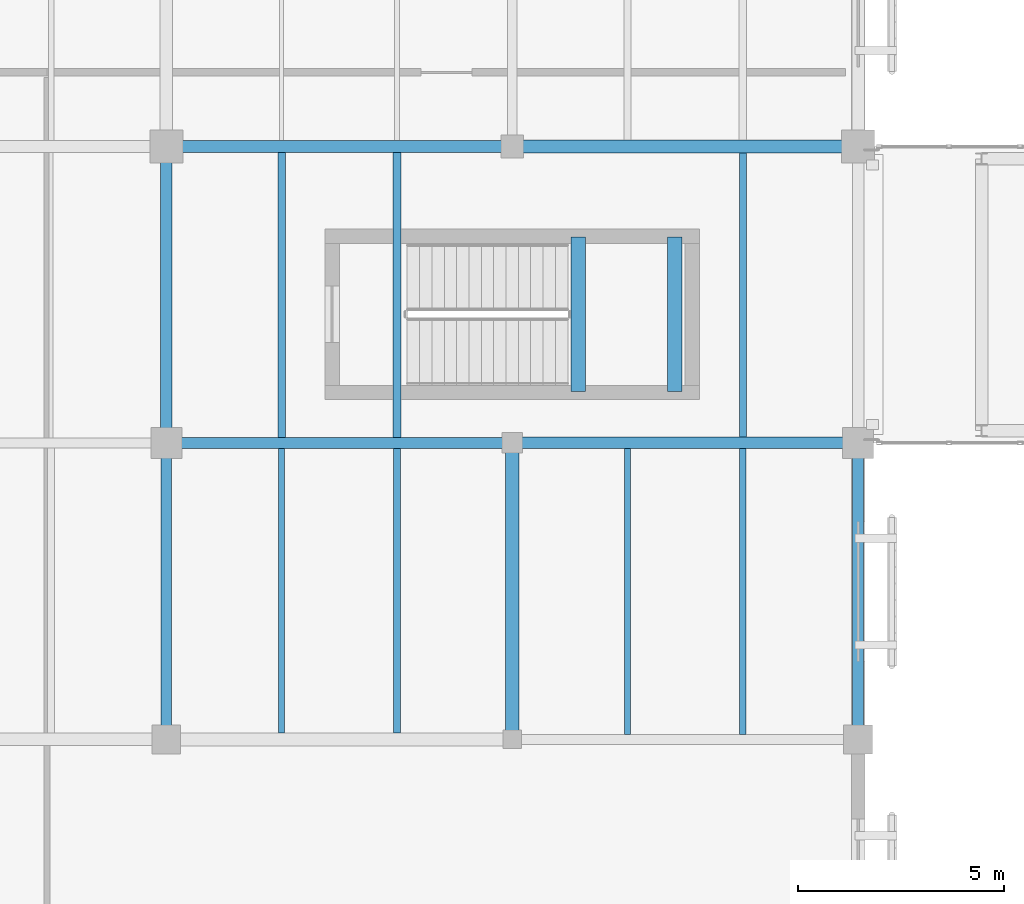
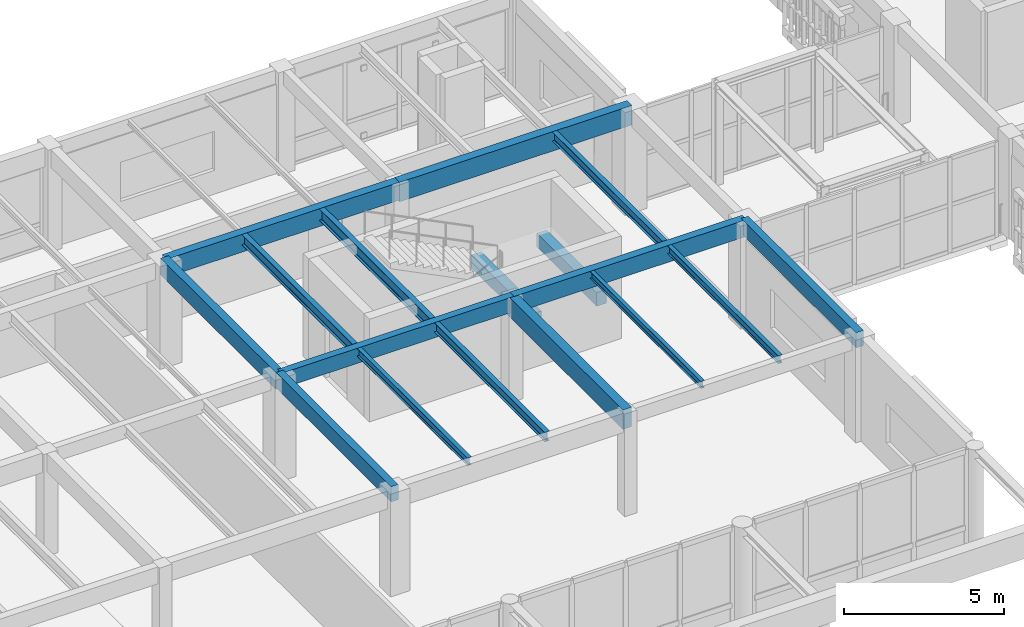
# One storey, part 48 of 170: 17 beams.
"""IFC4 building model written with IfcOpenShell, lengths in metres."""

from ifc_helpers import new_model, si_unit, direction, frame, origin, origin_2d, place, context, subcontext, project, spatial, rectangle, i_section, extrude, material, material_profile, profile_set, type_object, element, save


model = new_model("IFC4")

# Units and contexts
model_context = context("Model", 3, precision=1e-05, world=origin(), true_north=direction((0.0, 1.0)))
body_context = subcontext(model_context, "Body", "Model", "MODEL_VIEW")
ifc_project = project(units=[si_unit("LENGTHUNIT", "METRE"), si_unit("AREAUNIT", "SQUARE_METRE"), si_unit("VOLUMEUNIT", "CUBIC_METRE"), si_unit("PLANEANGLEUNIT", "RADIAN"), si_unit("MASSUNIT", "GRAM", prefix="KILO")], contexts=[model_context])

# Site, building, storey
site_placement = place(None, origin())
site = spatial("IfcSite", under=ifc_project, at=site_placement, CompositionType="ELEMENT")
building_placement = place(site_placement, origin())
building = spatial("IfcBuilding", under=site, at=building_placement, Name="Mazaris Harbour Polytechnic", CompositionType="ELEMENT")
storey_placement = place(building_placement, frame((0.0, 0.0, 5.39990234375)))
storey = spatial("IfcBuildingStorey", under=building, at=storey_placement, Name="L01", CompositionType="ELEMENT", Elevation=5.39990234375)

# Beams
ifc_material_1 = material(Name="Glulam GL32h", Category="wood")
ifc_material_profile_1 = material_profile(ifc_material_1, rectangle(XDim=0.260009765625, YDim=0.580078125, at=origin_2d()), Name="RECT260x580")
ifc_profile_set_1 = profile_set([ifc_material_profile_1], Name="Glulam GL32h")
beam_type_1 = type_object("IfcBeamType", Name="Glulam Girder 260x580", PredefinedType="BEAM", material=ifc_profile_set_1)
beam_1_placement = place(storey_placement, frame((96.0, 21.60009765625, 3.630126953125), z_axis=(1.0, 0.0, 0.0), x_axis=(0.0, 1.0, 0.0)))
element("IfcBeam", 1, at=beam_1_placement, inside=storey, type_object=beam_type_1, Name="V3 L01 Girder 981", PredefinedType="BEAM", context=body_context, shape_type="SweptSolid", body=[
    extrude(rectangle(XDim=0.260009765625, YDim=0.580078125, at=origin_2d()), origin(), (0.0, 0.0, 1.0), 8.39990234375),
])
beam_2_placement = place(storey_placement, frame((96.0, 14.39990234375, 3.630126953125), z_axis=(0.0, 1.0, 0.0), x_axis=(-1.0, 0.0, 0.0)))
element("IfcBeam", 2, at=beam_2_placement, inside=storey, type_object=beam_type_1, Name="V3 L01 Tie Girder 1011", PredefinedType="BEAM", context=body_context, shape_type="SweptSolid", body=[
    extrude(rectangle(XDim=0.260009765625, YDim=0.580078125, at=origin_2d()), origin(), (0.0, 0.0, 1.0), 7.2001953125),
])
ifc_material_2 = material(Name="Glulam GL32h", Category="wood")
ifc_material_profile_2 = material_profile(ifc_material_2, rectangle(XDim=0.260009765625, YDim=0.580078125, at=origin_2d()), Name="RECT260x580")
ifc_profile_set_2 = profile_set([ifc_material_profile_2], Name="Glulam GL32h")
beam_type_2 = type_object("IfcBeamType", Name="Glulam Girder 260x580 Exterior", PredefinedType="BEAM", material=ifc_profile_set_2)
beam_3_placement = place(storey_placement, frame((112.800048828125, 14.39990234375, 3.630126953125), z_axis=(0.0, 1.0, 0.0), x_axis=(-1.0, 0.0, 0.0)))
element("IfcBeam", 3, at=beam_3_placement, inside=storey, type_object=beam_type_2, Name="V3 L01 Tie Girder 1016", PredefinedType="BEAM", context=body_context, shape_type="SweptSolid", body=[
    extrude(rectangle(XDim=0.260009765625, YDim=0.580078125, at=origin_2d()), origin(), (0.0, 0.0, 1.0), 7.2001953125),
])
ifc_material_3 = material(Name="Glulam GL32h", Category="wood")
ifc_material_profile_3 = material_profile(ifc_material_3, rectangle(XDim=0.280029296875, YDim=0.639892578125, at=origin_2d()), Name="RECT280x640")
ifc_profile_set_3 = profile_set([ifc_material_profile_3], Name="Glulam GL32h")
beam_type_3 = type_object("IfcBeamType", Name="Glulam Girder 280x640", PredefinedType="BEAM", material=ifc_profile_set_3)
beam_4_placement = place(storey_placement, frame((104.39990234375, 21.60009765625, 3.60009765625), z_axis=(1.0, 0.0, 0.0), x_axis=(0.0, 1.0, 0.0)))
element("IfcBeam", 4, at=beam_4_placement, inside=storey, type_object=beam_type_3, Name="V3 L01 Girder 982", PredefinedType="BEAM", context=body_context, shape_type="SweptSolid", body=[
    extrude(rectangle(XDim=0.280029296875, YDim=0.639892578125, at=origin_2d()), origin(), (0.0, 0.0, 1.0), 8.400146484375),
])
beam_5_placement = place(storey_placement, frame((96.0, 21.60009765625, 3.60009765625), z_axis=(0.0, 1.0, 0.0), x_axis=(-1.0, 0.0, 0.0)))
element("IfcBeam", 5, at=beam_5_placement, inside=storey, type_object=beam_type_3, Name="V3 L01 Tie Girder 1012", PredefinedType="BEAM", context=body_context, shape_type="SweptSolid", body=[
    extrude(rectangle(XDim=0.280029296875, YDim=0.639892578125, at=origin_2d()), origin(), (0.0, 0.0, 1.0), 7.199951171875),
])
ifc_material_4 = material(Name="Glulam GL32h", Category="wood")
ifc_material_profile_4 = material_profile(ifc_material_4, rectangle(XDim=0.300048828125, YDim=0.679931640625, at=origin_2d()), Name="RECT300x680")
ifc_profile_set_4 = profile_set([ifc_material_profile_4], Name="Glulam GL32h")
beam_type_4 = type_object("IfcBeamType", Name="Glulam Girder 300x680", PredefinedType="BEAM", material=ifc_profile_set_4)
beam_6_placement = place(storey_placement, frame((96.0, 28.800048828125, 3.580078125), z_axis=(1.0, 0.0, 0.0), x_axis=(0.0, 1.0, 0.0)))
element("IfcBeam", 6, at=beam_6_placement, inside=storey, type_object=beam_type_4, Name="V3 L01 Girder 988", PredefinedType="BEAM", context=body_context, shape_type="SweptSolid", body=[
    extrude(rectangle(XDim=0.300048828125, YDim=0.679931640625, at=origin_2d()), origin(), (0.0, 0.0, 1.0), 8.39990234375),
])
ifc_material_5 = material(Name="Glulam GL32h", Category="wood")
ifc_material_profile_5 = material_profile(ifc_material_5, rectangle(XDim=0.320068359375, YDim=0.739990234375, at=origin_2d()), Name="RECT320x740")
ifc_profile_set_5 = profile_set([ifc_material_profile_5], Name="Glulam GL32h")
beam_type_5 = type_object("IfcBeamType", Name="Glulam Girder 320x740", PredefinedType="BEAM", material=ifc_profile_set_5)
beam_7_placement = place(storey_placement, frame((104.39990234375, 28.800048828125, 3.550048828125), z_axis=(1.0, 0.0, 0.0), x_axis=(0.0, 1.0, 0.0)))
element("IfcBeam", 7, at=beam_7_placement, inside=storey, type_object=beam_type_5, Name="V3 L01 Girder 989", PredefinedType="BEAM", context=body_context, shape_type="SweptSolid", body=[
    extrude(rectangle(XDim=0.320068359375, YDim=0.739990234375, at=origin_2d()), origin(), (0.0, 0.0, 1.0), 8.400146484375),
])
beam_8_placement = place(storey_placement, frame((104.39990234375, 14.39990234375, 3.550048828125), z_axis=(0.0, 1.0, 0.0), x_axis=(-1.0, 0.0, 0.0)))
element("IfcBeam", 8, at=beam_8_placement, inside=storey, type_object=beam_type_5, Name="V3 L01 Tie Girder 1014", PredefinedType="BEAM", context=body_context, shape_type="SweptSolid", body=[
    extrude(rectangle(XDim=0.320068359375, YDim=0.739990234375, at=origin_2d()), origin(), (0.0, 0.0, 1.0), 7.2001953125),
])
ifc_material_6 = material(Name="Concrete C40/50", Category="concrete")
ifc_material_profile_6 = material_profile(ifc_material_6, rectangle(XDim=0.35009765625, YDim=0.52001953125, at=origin_2d()), Name="RECT350x520")
ifc_profile_set_6 = profile_set([ifc_material_profile_6], Name="Concrete C40/50")
beam_type_6 = type_object("IfcBeamType", Name="RC Landing Bearer 350x520", PredefinedType="BEAM", material=ifc_profile_set_6)
for number, where, z_axis, x_axis, name in (
    (9, (106.0, 22.85009765625, 1.64013671875), (0.0, 1.0, 0.0), (-1.0, 0.0, 0.0), "Core ST06 L01 Landing Bearer"),
    (10, (108.35009765625, 22.85009765625, 1.64013671875), (0.0, 1.0, 0.0), (-1.0, 0.0, 0.0), "Core ST06 L01 Landing Bearer"),
):
    element("IfcBeam", number, at=place(storey_placement, frame(where, z_axis=z_axis, x_axis=x_axis)), inside=storey, type_object=beam_type_6, Name=name, PredefinedType="BEAM", context=body_context, shape_type="SweptSolid", body=[
        extrude(rectangle(XDim=0.35009765625, YDim=0.52001953125, at=origin_2d()), origin(), (0.0, 0.0, 1.0), 3.75),
    ])
ifc_material_7 = material(Name="Steel S355", Category="steel")
ifc_material_profile_7 = material_profile(ifc_material_7, i_section(OverallWidth=0.135009765625, OverallDepth=0.27001953125, WebThickness=0.006591796875, FlangeThickness=0.01025390625, FilletRadius=0.014892578125, at=origin_2d()), Name="IPE 270")
ifc_profile_set_7 = profile_set([ifc_material_profile_7], Name="Steel S355")
beam_type_7 = type_object("IfcBeamType", Name="Steel Joist IPE270", PredefinedType="JOIST", material=ifc_profile_set_7)
beam_9_placement = place(storey_placement, frame((107.199951171875, 14.52001953125, 3.78515625), z_axis=(0.0, 1.0, 0.0), x_axis=(-1.0, 0.0, 0.0)))
element("IfcBeam", 11, at=beam_9_placement, inside=storey, type_object=beam_type_7, Name="V3 L01 Floor Joist 1052", PredefinedType="JOIST", context=body_context, shape_type="SweptSolid", body=[
    extrude(i_section(OverallWidth=0.135009765625, OverallDepth=0.27001953125, WebThickness=0.006591796875, FlangeThickness=0.01025390625, FilletRadius=0.014892578125, at=origin_2d()), origin(), (0.0, 0.0, 1.0), 6.93994140625),
])
ifc_material_8 = material(Name="Steel S355", Category="steel")
ifc_material_profile_8 = material_profile(ifc_material_8, i_section(OverallWidth=0.14990234375, OverallDepth=0.300048828125, WebThickness=0.007080078125, FlangeThickness=0.0107421875, FilletRadius=0.014892578125, at=origin_2d()), Name="IPE 300")
ifc_profile_set_8 = profile_set([ifc_material_profile_8], Name="Steel S355")
beam_type_8 = type_object("IfcBeamType", Name="Steel Joist IPE300", PredefinedType="JOIST", material=ifc_profile_set_8)
beam_10_placement = place(storey_placement, frame((98.800048828125, 14.56005859375, 3.77001953125), z_axis=(0.0, 1.0, 0.0), x_axis=(-1.0, 0.0, 0.0)))
element("IfcBeam", 12, at=beam_10_placement, inside=storey, type_object=beam_type_8, Name="V3 L01 Floor Joist 1046", PredefinedType="JOIST", context=body_context, shape_type="SweptSolid", body=[
    extrude(i_section(OverallWidth=0.14990234375, OverallDepth=0.300048828125, WebThickness=0.007080078125, FlangeThickness=0.0107421875, FilletRadius=0.014892578125, at=origin_2d()), origin(), (0.0, 0.0, 1.0), 6.909912109375),
])
beam_11_placement = place(storey_placement, frame((110.0, 14.52001953125, 3.77001953125), z_axis=(0.0, 1.0, 0.0), x_axis=(-1.0, 0.0, 0.0)))
element("IfcBeam", 13, at=beam_11_placement, inside=storey, type_object=beam_type_8, Name="V3 L01 Floor Joist 1053", PredefinedType="JOIST", context=body_context, shape_type="SweptSolid", body=[
    extrude(i_section(OverallWidth=0.14990234375, OverallDepth=0.300048828125, WebThickness=0.007080078125, FlangeThickness=0.0107421875, FilletRadius=0.014892578125, at=origin_2d()), origin(), (0.0, 0.0, 1.0), 6.93994140625),
])
ifc_material_9 = material(Name="Steel S355", Category="steel")
ifc_material_profile_9 = material_profile(ifc_material_9, i_section(OverallWidth=0.169921875, OverallDepth=0.360107421875, WebThickness=0.008056640625, FlangeThickness=0.0126953125, FilletRadius=0.01806640625, at=origin_2d()), Name="IPE 360")
ifc_profile_set_9 = profile_set([ifc_material_profile_9], Name="Steel S355")
beam_type_9 = type_object("IfcBeamType", Name="Steel Joist IPE360", PredefinedType="JOIST", material=ifc_profile_set_9)
beam_12_placement = place(storey_placement, frame((101.60009765625, 14.56005859375, 3.739990234375), z_axis=(0.0, 1.0, 0.0), x_axis=(-1.0, 0.0, 0.0)))
element("IfcBeam", 14, at=beam_12_placement, inside=storey, type_object=beam_type_9, Name="V3 L01 Floor Joist 1047", PredefinedType="JOIST", context=body_context, shape_type="SweptSolid", body=[
    extrude(i_section(OverallWidth=0.169921875, OverallDepth=0.360107421875, WebThickness=0.008056640625, FlangeThickness=0.0126953125, FilletRadius=0.01806640625, at=origin_2d()), origin(), (0.0, 0.0, 1.0), 6.909912109375),
])
beam_13_placement = place(storey_placement, frame((110.0, 21.739990234375, 3.739990234375), z_axis=(0.0, 1.0, 0.0), x_axis=(-1.0, 0.0, 0.0)))
element("IfcBeam", 15, at=beam_13_placement, inside=storey, type_object=beam_type_9, Name="V3 L01 Floor Joist 1054", PredefinedType="JOIST", context=body_context, shape_type="SweptSolid", body=[
    extrude(i_section(OverallWidth=0.169921875, OverallDepth=0.360107421875, WebThickness=0.008056640625, FlangeThickness=0.0126953125, FilletRadius=0.01806640625, at=origin_2d()), origin(), (0.0, 0.0, 1.0), 6.89990234375),
])
ifc_material_10 = material(Name="Steel S355", Category="steel")
ifc_material_profile_10 = material_profile(ifc_material_10, i_section(OverallWidth=0.179931640625, OverallDepth=0.39990234375, WebThickness=0.008544921875, FlangeThickness=0.013427734375, FilletRadius=0.02099609375, at=origin_2d()), Name="IPE 400")
ifc_profile_set_10 = profile_set([ifc_material_profile_10], Name="Steel S355")
beam_type_10 = type_object("IfcBeamType", Name="Steel Joist IPE400", PredefinedType="JOIST", material=ifc_profile_set_10)
beam_14_placement = place(storey_placement, frame((98.800048828125, 21.72998046875, 3.72021484375), z_axis=(0.0, 1.0, 0.0), x_axis=(-1.0, 0.0, 0.0)))
element("IfcBeam", 16, at=beam_14_placement, inside=storey, type_object=beam_type_10, Name="V3 L01 Floor Joist 1048", PredefinedType="JOIST", context=body_context, shape_type="SweptSolid", body=[
    extrude(i_section(OverallWidth=0.179931640625, OverallDepth=0.39990234375, WebThickness=0.008544921875, FlangeThickness=0.013427734375, FilletRadius=0.02099609375, at=origin_2d()), origin(), (0.0, 0.0, 1.0), 6.919921875),
])
ifc_material_11 = material(Name="Steel S355", Category="steel")
ifc_material_profile_11 = material_profile(ifc_material_11, i_section(OverallWidth=0.18994140625, OverallDepth=0.449951171875, WebThickness=0.009521484375, FlangeThickness=0.0146484375, FilletRadius=0.02099609375, at=origin_2d()), Name="IPE 450")
ifc_profile_set_11 = profile_set([ifc_material_profile_11], Name="Steel S355")
beam_type_11 = type_object("IfcBeamType", Name="Steel Joist IPE450", PredefinedType="JOIST", material=ifc_profile_set_11)
beam_15_placement = place(storey_placement, frame((101.60009765625, 21.72998046875, 3.695068359375), z_axis=(0.0, 1.0, 0.0), x_axis=(-1.0, 0.0, 0.0)))
element("IfcBeam", 17, at=beam_15_placement, inside=storey, type_object=beam_type_11, Name="V3 L01 Floor Joist 1049", PredefinedType="JOIST", context=body_context, shape_type="SweptSolid", body=[
    extrude(i_section(OverallWidth=0.18994140625, OverallDepth=0.449951171875, WebThickness=0.009521484375, FlangeThickness=0.0146484375, FilletRadius=0.02099609375, at=origin_2d()), origin(), (0.0, 0.0, 1.0), 6.919921875),
])

save(model, "model.ifc")
